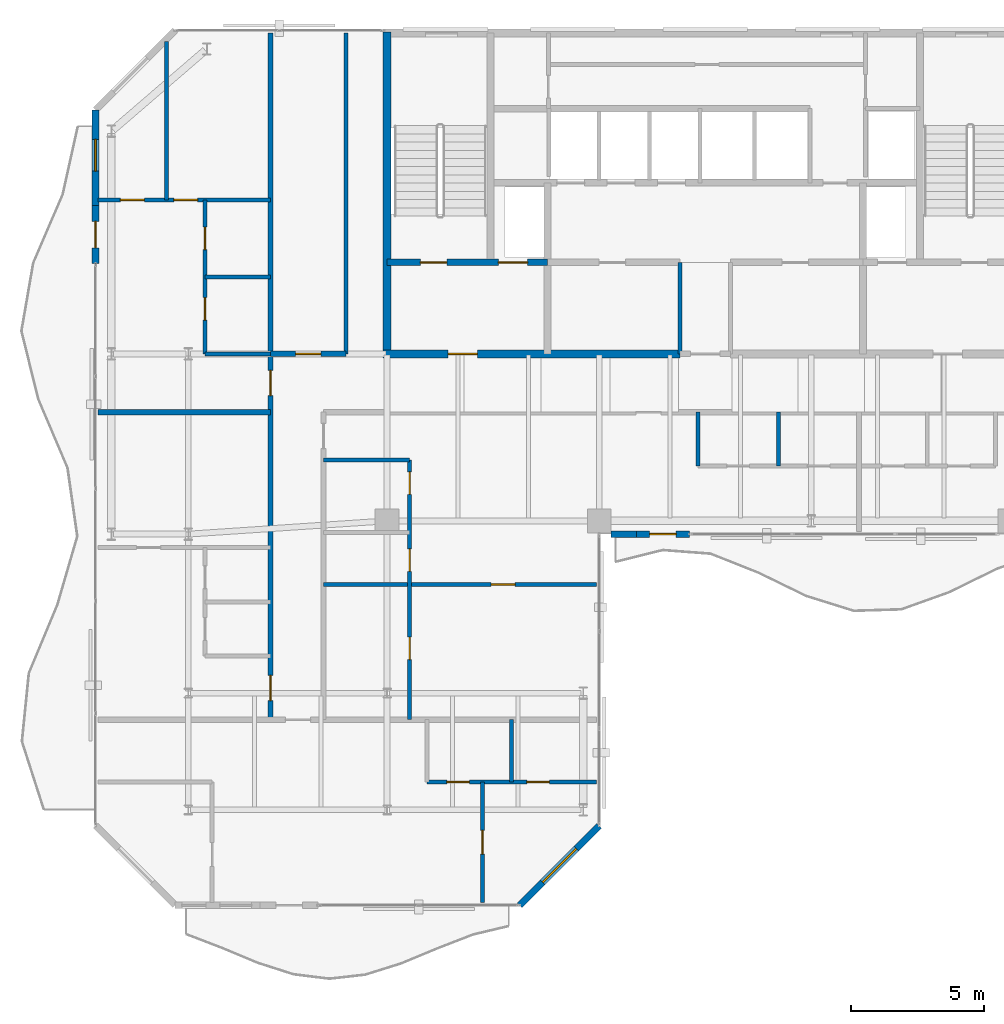
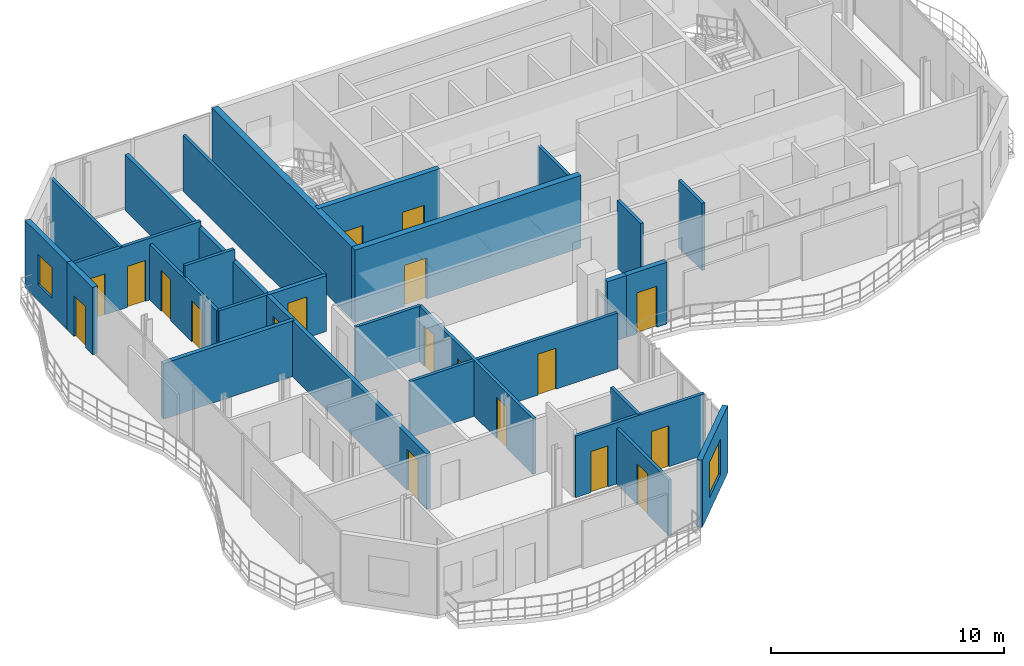
# One storey, part 18 of 22: 26 walls, 19 doors, 2 windows, 21 openings.
"""IFC4 building model written with IfcOpenShell, lengths in metres."""

from ifc_helpers import new_model, si_unit, direction, frame, frame_2d, origin, place, context, subcontext, project, spatial, rectangle, extrude, material, layer, layer_set, type_object, element, fill, save


model = new_model("IFC4")

# Units and contexts
model_context = context("Model", 3, precision=1e-05, world=origin(), true_north=direction((0.0, 1.0)))
body_context = subcontext(model_context, "Body", "Model", "MODEL_VIEW")
ifc_project = project(units=[si_unit("LENGTHUNIT", "METRE"), si_unit("AREAUNIT", "SQUARE_METRE"), si_unit("VOLUMEUNIT", "CUBIC_METRE"), si_unit("PLANEANGLEUNIT", "RADIAN"), si_unit("MASSUNIT", "GRAM", prefix="KILO")], contexts=[model_context])

# Site, building, storey
site_placement = place(None, origin())
site = spatial("IfcSite", under=ifc_project, at=site_placement, CompositionType="ELEMENT")
building_placement = place(site_placement, origin())
building = spatial("IfcBuilding", under=site, at=building_placement, Name="Catumbela Crestline Tower", CompositionType="ELEMENT")
storey_placement = place(building_placement, frame((0.0, 0.0, 222.2)))
storey = spatial("IfcBuildingStorey", under=building, at=storey_placement, Name="L57", CompositionType="ELEMENT", Elevation=222.2)

# Wall, openings, doors
ifc_material_1 = material(Name="Concrete C50/60", Category="concrete")
ifc_layer_1 = layer(ifc_material_1, 0.25, Name="Concrete C50/60")
ifc_layer_set_1 = layer_set([ifc_layer_1], Name="Concrete C50/60")
wall_type_1 = type_object("IfcWallType", Name="CW-250D", PredefinedType="SHEAR", material=ifc_layer_set_1)
wall_1_placement = place(storey_placement, frame((16.0, 34.25, 0.0), z_axis=(0.0, 0.0, 1.0), x_axis=(1.0, 0.0, 0.0)))
wall_1 = element("IfcWall", 1, at=wall_1_placement, inside=storey, type_object=wall_type_1, Name="L57 Structural Core Shear Wall ST1S", PredefinedType="SHEAR", context=body_context, shape_type="SweptSolid", body=[
    extrude(rectangle(XDim=6.05, YDim=0.25, at=frame_2d((3.025, 0.0))), origin(), (0.0, 0.0, 1.0), 3.8),
])
opening_1_placement = place(wall_1_placement, frame((1.25, 0.0, 0.0)))
opening_1 = element("IfcOpeningElement", 2, at=opening_1_placement, cuts=wall_1, Name="Opening DF9-100", PredefinedType="OPENING", context=body_context, shape_type="SweptSolid", body=[
    extrude(rectangle(XDim=1.0, YDim=2.15, at=frame_2d((0.5, 1.075))), frame((0.0, 0.135, 0.0), z_axis=(0.0, -1.0, 0.0), x_axis=(1.0, 0.0, 0.0)), (0.0, 0.0, 1.0), 0.27),
])
opening_2_placement = place(wall_1_placement, frame((4.2, 0.0, 0.0)))
opening_2 = element("IfcOpeningElement", 3, at=opening_2_placement, cuts=wall_1, Name="Opening LD-110", PredefinedType="OPENING", context=body_context, shape_type="SweptSolid", body=[
    extrude(rectangle(XDim=1.1, YDim=2.15, at=frame_2d((0.55, 1.075))), frame((0.0, 0.135, 0.0), z_axis=(0.0, -1.0, 0.0), x_axis=(1.0, 0.0, 0.0)), (0.0, 0.0, 1.0), 0.27),
])
ifc_material_2 = material(Name="Stainless steel EN 1.4401", Category="steel")
door_type_1 = type_object("IfcDoorType", Name="DF9-100", OperationType="NOTDEFINED", PredefinedType="DOOR", material=ifc_material_2)
door_1_placement = place(opening_1_placement, origin())
door_1 = element("IfcDoor", 4, at=door_1_placement, inside=storey, type_object=door_type_1, Name="L57 Interior Door DR-L57-ST01", OperationType="SINGLE_SWING_LEFT", OverallHeight=2.15, OverallWidth=1.0, PredefinedType="DOOR", context=body_context, shape_type="SweptSolid", body=[
    extrude(rectangle(XDim=1.0, YDim=2.15, at=frame_2d((0.5, 1.075))), frame((0.0, 0.025, 0.0), z_axis=(0.0, -1.0, 0.0), x_axis=(1.0, 0.0, 0.0)), (0.0, 0.0, 1.0), 0.05),
])
fill(opening_1, door_1)
door_type_2 = type_object("IfcDoorType", Name="LD-110", OperationType="NOTDEFINED", PredefinedType="DOOR", material=ifc_material_2)
door_2_placement = place(opening_2_placement, origin())
door_2 = element("IfcDoor", 5, at=door_2_placement, inside=storey, type_object=door_type_2, Name="L57 Lift Landing Sliding Door FL-01", OperationType="DOUBLE_DOOR_SLIDING", OverallHeight=2.15, OverallWidth=1.1, PredefinedType="DOOR", context=body_context, shape_type="SweptSolid", body=[
    extrude(rectangle(XDim=1.1, YDim=2.15, at=frame_2d((0.55, 1.075))), frame((0.0, 0.025, 0.0), z_axis=(0.0, -1.0, 0.0), x_axis=(1.0, 0.0, 0.0)), (0.0, 0.0, 1.0), 0.05),
])
fill(opening_2, door_2)

# Wall
ifc_material_3 = material(Name="Concrete C45/55", Category="concrete")
ifc_layer_2 = layer(ifc_material_3, 0.3, Name="Concrete C45/55")
ifc_layer_set_2 = layer_set([ifc_layer_2], Name="Concrete C45/55")
wall_type_2 = type_object("IfcWallType", Name="CW-300C", PredefinedType="SHEAR", material=ifc_layer_set_2)
wall_2_placement = place(storey_placement, frame((16.0, 30.65, 0.0), z_axis=(0.0, 0.0, 1.0), x_axis=(0.0, 1.0, 0.0)))
element("IfcWall", 6, at=wall_2_placement, inside=storey, type_object=wall_type_2, Name="L57 Structural Core Shear Wall W", PredefinedType="SHEAR", context=body_context, shape_type="SweptSolid", body=[
    extrude(rectangle(XDim=12.3, YDim=0.3, at=frame_2d((6.15, 0.0))), origin(), (0.0, 0.0, 1.0), 3.8),
])

# Wall, opening, door
wall_3_placement = place(storey_placement, frame((15.85, 30.8, 0.0), z_axis=(0.0, 0.0, 1.0), x_axis=(1.0, 0.0, 0.0)))
wall_3 = element("IfcWall", 7, at=wall_3_placement, inside=storey, type_object=wall_type_2, Name="L57 Structural Core Shear Wall SW", PredefinedType="SHEAR", context=body_context, shape_type="SweptSolid", body=[
    extrude(rectangle(XDim=11.2, YDim=0.3, at=frame_2d((5.6, 0.0))), origin(), (0.0, 0.0, 1.0), 3.8),
])
opening_3_placement = place(wall_3_placement, frame((2.45, 0.0, 0.0)))
opening_3 = element("IfcOpeningElement", 8, at=opening_3_placement, cuts=wall_3, Name="Opening DF9-110", PredefinedType="OPENING", context=body_context, shape_type="SweptSolid", body=[
    extrude(rectangle(XDim=1.1, YDim=2.15, at=frame_2d((0.55, 1.075))), frame((0.0, 0.16, 0.0), z_axis=(0.0, -1.0, 0.0), x_axis=(1.0, 0.0, 0.0)), (0.0, 0.0, 1.0), 0.32),
])
door_type_3 = type_object("IfcDoorType", Name="DF9-110", OperationType="NOTDEFINED", PredefinedType="DOOR", material=ifc_material_2)
door_3_placement = place(opening_3_placement, origin())
door_3 = element("IfcDoor", 9, at=door_3_placement, inside=storey, type_object=door_type_3, Name="L57 Interior Door DR-L57-FFW-S", OperationType="SINGLE_SWING_LEFT", OverallHeight=2.15, OverallWidth=1.1, PredefinedType="DOOR", context=body_context, shape_type="SweptSolid", body=[
    extrude(rectangle(XDim=1.1, YDim=2.15, at=frame_2d((0.55, 1.075))), frame((0.0, 0.025, 0.0), z_axis=(0.0, -1.0, 0.0), x_axis=(1.0, 0.0, 0.0)), (0.0, 0.0, 1.0), 0.05),
])
fill(opening_3, door_3)

# Wall, openings, doors
ifc_material_4 = material(Name="Acoustic gypsum and mineral-wool partition")
ifc_layer_3 = layer(ifc_material_4, 0.2, Name="Acoustic gypsum and mineral-wool partition")
ifc_layer_set_3 = layer_set([ifc_layer_3], Name="Acoustic gypsum and mineral-wool partition")
wall_type_3 = type_object("IfcWallType", Name="WC-200", PredefinedType="PARTITIONING", material=ifc_layer_set_3)
wall_4_placement = place(storey_placement, frame((11.6, 17.0, 0.0), z_axis=(0.0, 0.0, 1.0), x_axis=(0.0, 1.0, 0.0)))
wall_4 = element("IfcWall", 10, at=wall_4_placement, inside=storey, type_object=wall_type_3, Name="L57 Interior Partition PW-L57-NW1-ENT", PredefinedType="PARTITIONING", context=body_context, shape_type="SweptSolid", body=[
    extrude(rectangle(XDim=25.9, YDim=0.2, at=frame_2d((12.95, 0.0))), origin(), (0.0, 0.0, 1.0), 2.92),
])
opening_4_placement = place(wall_4_placement, frame((12.225, 0.0, 0.0)))
opening_4 = element("IfcOpeningElement", 11, at=opening_4_placement, cuts=wall_4, Name="Opening DF6-095", PredefinedType="OPENING", context=body_context, shape_type="SweptSolid", body=[
    extrude(rectangle(XDim=0.95, YDim=2.15, at=frame_2d((0.475, 1.075))), frame((0.0, 0.11, 0.0), z_axis=(0.0, -1.0, 0.0), x_axis=(1.0, 0.0, 0.0)), (0.0, 0.0, 1.0), 0.22),
])
opening_5_placement = place(wall_4_placement, frame((0.723, 0.0, 0.0)))
opening_5 = element("IfcOpeningElement", 12, at=opening_5_placement, cuts=wall_4, Name="Opening DF6-095", PredefinedType="OPENING", context=body_context, shape_type="SweptSolid", body=[
    extrude(rectangle(XDim=0.95, YDim=2.15, at=frame_2d((0.475, 1.075))), frame((0.0, 0.11, 0.0), z_axis=(0.0, -1.0, 0.0), x_axis=(1.0, 0.0, 0.0)), (0.0, 0.0, 1.0), 0.22),
])
ifc_material_5 = material(Name="Aluminium alloy AW-6060-T66", Category="aluminium")
door_type_4 = type_object("IfcDoorType", Name="DF6-095", OperationType="NOTDEFINED", PredefinedType="DOOR", material=ifc_material_5)
door_4_placement = place(opening_4_placement, origin())
door_4 = element("IfcDoor", 13, at=door_4_placement, inside=storey, type_object=door_type_4, Name="L57 Interior Door DR-L57-NW1-ENT", OperationType="SINGLE_SWING_LEFT", OverallHeight=2.15, OverallWidth=0.95, PredefinedType="DOOR", context=body_context, shape_type="SweptSolid", body=[
    extrude(rectangle(XDim=0.95, YDim=2.15, at=frame_2d((0.475, 1.075))), frame((0.0, 0.025, 0.0), z_axis=(0.0, -1.0, 0.0), x_axis=(1.0, 0.0, 0.0)), (0.0, 0.0, 1.0), 0.05),
])
fill(opening_4, door_4)
door_5_placement = place(opening_5_placement, origin())
door_5 = element("IfcDoor", 14, at=door_5_placement, inside=storey, type_object=door_type_4, Name="L57 Interior Door DR-L57-WL1-ENT", OperationType="SINGLE_SWING_LEFT", OverallHeight=2.15, OverallWidth=0.95, PredefinedType="DOOR", context=body_context, shape_type="SweptSolid", body=[
    extrude(rectangle(XDim=0.95, YDim=2.15, at=frame_2d((0.475, 1.075))), frame((0.0, 0.025, 0.0), z_axis=(0.0, -1.0, 0.0), x_axis=(1.0, 0.0, 0.0)), (0.0, 0.0, 1.0), 0.05),
])
fill(opening_5, door_5)

# Wall, opening, door
wall_5_placement = place(storey_placement, frame((11.6, 30.8, 0.0), z_axis=(0.0, 0.0, 1.0), x_axis=(1.0, 0.0, 0.0)))
wall_5 = element("IfcWall", 15, at=wall_5_placement, inside=storey, type_object=wall_type_3, Name="L57 Interior Partition PW-L57-NWST-ENT", PredefinedType="PARTITIONING", context=body_context, shape_type="SweptSolid", body=[
    extrude(rectangle(XDim=2.85, YDim=0.2, at=frame_2d((1.425, 0.0))), origin(), (0.0, 0.0, 1.0), 2.92),
])
opening_6_placement = place(wall_5_placement, frame((0.95, 0.0, 0.0)))
opening_6 = element("IfcOpeningElement", 16, at=opening_6_placement, cuts=wall_5, Name="Opening DF6-095", PredefinedType="OPENING", context=body_context, shape_type="SweptSolid", body=[
    extrude(rectangle(XDim=0.95, YDim=2.15, at=frame_2d((0.475, 1.075))), frame((0.0, 0.11, 0.0), z_axis=(0.0, -1.0, 0.0), x_axis=(1.0, 0.0, 0.0)), (0.0, 0.0, 1.0), 0.22),
])
door_6_placement = place(opening_6_placement, origin())
door_6 = element("IfcDoor", 17, at=door_6_placement, inside=storey, type_object=door_type_4, Name="L57 Interior Door DR-L57-NWST-ENT", OperationType="SINGLE_SWING_LEFT", OverallHeight=2.15, OverallWidth=0.95, PredefinedType="DOOR", context=body_context, shape_type="SweptSolid", body=[
    extrude(rectangle(XDim=0.95, YDim=2.15, at=frame_2d((0.475, 1.075))), frame((0.0, 0.025, 0.0), z_axis=(0.0, -1.0, 0.0), x_axis=(1.0, 0.0, 0.0)), (0.0, 0.0, 1.0), 0.05),
])
fill(opening_6, door_6)

# Wall, opening, window
ifc_material_6 = material(Name="Angolan grey-ochre granite", Category="masonry")
ifc_layer_4 = layer(ifc_material_6, 0.25, Name="Angolan grey-ochre granite")
ifc_layer_set_4 = layer_set([ifc_layer_4], Name="Angolan grey-ochre granite")
wall_type_4 = type_object("IfcWallType", Name="WE-250", PredefinedType="STANDARD", material=ifc_layer_set_4)
wall_6_placement = place(storey_placement, frame((21.0, 10.0, 0.0), z_axis=(0.0, 0.0, 1.0), x_axis=(0.707106781187, 0.707106781187, 0.0)))
wall_6 = element("IfcWall", 18, at=wall_6_placement, inside=storey, type_object=wall_type_4, Name="L57 Granite Punched Window Wall 1-1", PredefinedType="STANDARD", context=body_context, shape_type="SweptSolid", body=[
    extrude(rectangle(XDim=4.2426, YDim=0.25, at=frame_2d((2.1213, 0.0))), origin(), (0.0, 0.0, 1.0), 3.53),
])
opening_7_placement = place(wall_6_placement, frame((1.2213, 0.0, 0.75)))
opening_7 = element("IfcOpeningElement", 19, at=opening_7_placement, cuts=wall_6, Name="Opening WN-01", PredefinedType="OPENING", context=body_context, shape_type="SweptSolid", body=[
    extrude(rectangle(XDim=1.8, YDim=1.85, at=frame_2d((0.9, 0.925))), frame((0.0, 0.135, 0.0), z_axis=(0.0, -1.0, 0.0), x_axis=(1.0, 0.0, 0.0)), (0.0, 0.0, 1.0), 0.27),
])
ifc_material_7 = material(Name="Low-E laminated solar-control double glazing", Category="glass")
window_type_1 = type_object("IfcWindowType", Name="WF-1800", PartitioningType="SINGLE_PANEL", PredefinedType="WINDOW", material=ifc_material_7)
window_1_placement = place(opening_7_placement, origin())
window_1 = element("IfcWindow", 20, at=window_1_placement, inside=storey, type_object=window_type_1, Name="L57 Facade Vision Window 395", OverallHeight=1.85, OverallWidth=1.8, PartitioningType="SINGLE_PANEL", PredefinedType="WINDOW", context=body_context, shape_type="SweptSolid", body=[
    extrude(rectangle(XDim=1.8, YDim=1.85, at=frame_2d((0.9, 0.925))), frame((0.0, 0.03, 0.0), z_axis=(0.0, -1.0, 0.0), x_axis=(1.0, 0.0, 0.0)), (0.0, 0.0, 1.0), 0.06),
])
fill(opening_7, window_1)

# Wall, opening, door
wall_7_placement = place(storey_placement, frame((25.4, 24.0, 0.0), z_axis=(0.0, 0.0, 1.0), x_axis=(1.0, 0.0, 0.0)))
wall_7 = element("IfcWall", 21, at=wall_7_placement, inside=storey, type_object=wall_type_4, Name="L57 Exterior Threshold Portal Wall DR-L57-WBAL-1", PredefinedType="STANDARD", context=body_context, shape_type="SweptSolid", body=[
    extrude(rectangle(XDim=2.0, YDim=0.25, at=frame_2d((1.0, 0.0))), origin(), (0.0, 0.0, 1.0), 3.24),
])
opening_8_placement = place(wall_7_placement, frame((0.5, 0.0, 0.0)))
opening_8 = element("IfcOpeningElement", 22, at=opening_8_placement, cuts=wall_7, Name="Opening DB-L57-1", PredefinedType="OPENING", context=body_context, shape_type="SweptSolid", body=[
    extrude(rectangle(XDim=1.0, YDim=2.15, at=frame_2d((0.5, 1.075))), frame((0.0, 0.135, 0.0), z_axis=(0.0, -1.0, 0.0), x_axis=(1.0, 0.0, 0.0)), (0.0, 0.0, 1.0), 0.27),
])
door_type_5 = type_object("IfcDoorType", Name="DB-1000", OperationType="NOTDEFINED", PredefinedType="DOOR", material=ifc_material_5)
door_7_placement = place(opening_8_placement, origin())
door_7 = element("IfcDoor", 23, at=door_7_placement, inside=storey, type_object=door_type_5, Name="L57 Wave Balcony Terrace Door 1", OperationType="SINGLE_SWING_LEFT", OverallHeight=2.15, OverallWidth=1.0, PredefinedType="DOOR", context=body_context, shape_type="SweptSolid", body=[
    extrude(rectangle(XDim=1.0, YDim=2.15, at=frame_2d((0.5, 1.075))), frame((0.0, 0.025, 0.0), z_axis=(0.0, -1.0, 0.0), x_axis=(1.0, 0.0, 0.0)), (0.0, 0.0, 1.0), 0.05),
])
fill(opening_8, door_7)

# Wall
wall_8_placement = place(storey_placement, frame((24.45, 24.0, 0.0), z_axis=(0.0, 0.0, 1.0), x_axis=(1.0, 0.0, 0.0)))
element("IfcWall", 24, at=wall_8_placement, inside=storey, type_object=wall_type_4, Name="L57 Granite Punched Window Wall 3-1", PredefinedType="STANDARD", context=body_context, shape_type="SweptSolid", body=[
    extrude(rectangle(XDim=0.95, YDim=0.25, at=frame_2d((0.475, 0.0))), origin(), (0.0, 0.0, 1.0), 3.24),
])

# Wall, opening, door
wall_9_placement = place(storey_placement, frame((5.0, 36.4, 0.0), z_axis=(0.0, 0.0, 1.0), x_axis=(0.0, -1.0, 0.0)))
wall_9 = element("IfcWall", 25, at=wall_9_placement, inside=storey, type_object=wall_type_4, Name="L57 Exterior Threshold Portal Wall DR-L57-WBAL-4", PredefinedType="STANDARD", context=body_context, shape_type="SweptSolid", body=[
    extrude(rectangle(XDim=2.2, YDim=0.25, at=frame_2d((1.1, 0.0))), origin(), (0.0, 0.0, 1.0), 3.53),
])
opening_9_placement = place(wall_9_placement, frame((0.6, 0.0, 0.0)))
opening_9 = element("IfcOpeningElement", 26, at=opening_9_placement, cuts=wall_9, Name="Opening DB-L57-4", PredefinedType="OPENING", context=body_context, shape_type="SweptSolid", body=[
    extrude(rectangle(XDim=1.0, YDim=2.15, at=frame_2d((0.5, 1.075))), frame((0.0, 0.135, 0.0), z_axis=(0.0, -1.0, 0.0), x_axis=(1.0, 0.0, 0.0)), (0.0, 0.0, 1.0), 0.27),
])
door_8_placement = place(opening_9_placement, origin())
door_8 = element("IfcDoor", 27, at=door_8_placement, inside=storey, type_object=door_type_5, Name="L57 Wave Balcony Terrace Door 4", OperationType="SINGLE_SWING_RIGHT", OverallHeight=2.15, OverallWidth=1.0, PredefinedType="DOOR", context=body_context, shape_type="SweptSolid", body=[
    extrude(rectangle(XDim=1.0, YDim=2.15, at=frame_2d((0.5, 1.075))), frame((0.0, 0.025, 0.0), z_axis=(0.0, -1.0, 0.0), x_axis=(1.0, 0.0, 0.0)), (0.0, 0.0, 1.0), 0.05),
])
fill(opening_9, door_8)

# Wall, opening, window
wall_10_placement = place(storey_placement, frame((5.0, 40.0, 0.0), z_axis=(0.0, 0.0, 1.0), x_axis=(0.0, -1.0, 0.0)))
wall_10 = element("IfcWall", 28, at=wall_10_placement, inside=storey, type_object=wall_type_4, Name="L57 Granite Punched Window Wall 9-1", PredefinedType="STANDARD", context=body_context, shape_type="SweptSolid", body=[
    extrude(rectangle(XDim=3.6, YDim=0.25, at=frame_2d((1.8, 0.0))), origin(), (0.0, 0.0, 1.0), 3.53),
])
opening_10_placement = place(wall_10_placement, frame((1.106, 0.0, 0.85)))
opening_10 = element("IfcOpeningElement", 29, at=opening_10_placement, cuts=wall_10, Name="Opening WN-02", PredefinedType="OPENING", context=body_context, shape_type="SweptSolid", body=[
    extrude(rectangle(XDim=1.2, YDim=1.6, at=frame_2d((0.6, 0.8))), frame((0.0, 0.135, 0.0), z_axis=(0.0, -1.0, 0.0), x_axis=(1.0, 0.0, 0.0)), (0.0, 0.0, 1.0), 0.27),
])
window_type_2 = type_object("IfcWindowType", Name="WO-1200", PartitioningType="SINGLE_PANEL", PredefinedType="WINDOW", material=ifc_material_7)
window_2_placement = place(opening_10_placement, origin())
window_2 = element("IfcWindow", 30, at=window_2_placement, inside=storey, type_object=window_type_2, Name="L57 Facade Vision Window 402", OverallHeight=1.6, OverallWidth=1.2, PartitioningType="SINGLE_PANEL", PredefinedType="WINDOW", context=body_context, shape_type="SweptSolid", body=[
    extrude(rectangle(XDim=1.2, YDim=1.6, at=frame_2d((0.6, 0.8))), frame((0.0, 0.03, 0.0), z_axis=(0.0, -1.0, 0.0), x_axis=(1.0, 0.0, 0.0)), (0.0, 0.0, 1.0), 0.06),
])
fill(opening_10, window_2)

# Walls
ifc_layer_5 = layer(ifc_material_4, 0.15, Name="Acoustic gypsum and mineral-wool partition")
ifc_layer_set_5 = layer_set([ifc_layer_5], Name="Acoustic gypsum and mineral-wool partition")
wall_type_5 = type_object("IfcWallType", Name="WP-150", PredefinedType="PARTITIONING", material=ifc_layer_set_5)
wall_11_placement = place(storey_placement, frame((9.13, 30.8, 0.0), z_axis=(0.0, 0.0, 1.0), x_axis=(1.0, 0.0, 0.0)))
element("IfcWall", 31, at=wall_11_placement, inside=storey, type_object=wall_type_5, Name="L57 Interior Partition PW-L57-NW1-KBS", PredefinedType="PARTITIONING", context=body_context, shape_type="SweptSolid", body=[
    extrude(rectangle(XDim=2.47, YDim=0.15, at=frame_2d((1.235, 0.0))), origin(), (0.0, 0.0, 1.0), 2.92),
])
wall_12_placement = place(storey_placement, frame((9.13, 33.704, 0.0), z_axis=(0.0, 0.0, 1.0), x_axis=(1.0, 0.0, 0.0)))
element("IfcWall", 32, at=wall_12_placement, inside=storey, type_object=wall_type_5, Name="L57 Interior Partition PW-L57-NW1-KBM", PredefinedType="PARTITIONING", context=body_context, shape_type="SweptSolid", body=[
    extrude(rectangle(XDim=2.47, YDim=0.15, at=frame_2d((1.235, 0.0))), origin(), (0.0, 0.0, 1.0), 3.53),
])

# Wall, openings, doors
wall_13_placement = place(storey_placement, frame((5.1, 36.608, 0.0), z_axis=(0.0, 0.0, 1.0), x_axis=(1.0, 0.0, 0.0)))
wall_13 = element("IfcWall", 33, at=wall_13_placement, inside=storey, type_object=wall_type_5, Name="L57 Interior Partition PW-L57-NW1-KBN", PredefinedType="PARTITIONING", context=body_context, shape_type="SweptSolid", body=[
    extrude(rectangle(XDim=6.5, YDim=0.15, at=frame_2d((3.25, 0.0))), origin(), (0.0, 0.0, 1.0), 3.24),
])
opening_11_placement = place(wall_13_placement, frame((0.84, 0.0, 0.0)))
opening_11 = element("IfcOpeningElement", 34, at=opening_11_placement, cuts=wall_13, Name="Opening DI-090", PredefinedType="OPENING", context=body_context, shape_type="SweptSolid", body=[
    extrude(rectangle(XDim=0.9, YDim=2.15, at=frame_2d((0.45, 1.075))), frame((0.0, 0.085, 0.0), z_axis=(0.0, -1.0, 0.0), x_axis=(1.0, 0.0, 0.0)), (0.0, 0.0, 1.0), 0.17),
])
opening_12_placement = place(wall_13_placement, frame((2.855, 0.0, 0.0)))
opening_12 = element("IfcOpeningElement", 35, at=opening_12_placement, cuts=wall_13, Name="Opening DI-090", PredefinedType="OPENING", context=body_context, shape_type="SweptSolid", body=[
    extrude(rectangle(XDim=0.9, YDim=2.15, at=frame_2d((0.45, 1.075))), frame((0.0, 0.085, 0.0), z_axis=(0.0, -1.0, 0.0), x_axis=(1.0, 0.0, 0.0)), (0.0, 0.0, 1.0), 0.17),
])
door_type_6 = type_object("IfcDoorType", Name="DI-090", OperationType="NOTDEFINED", PredefinedType="DOOR", material=ifc_material_5)
door_9_placement = place(opening_11_placement, origin())
door_9 = element("IfcDoor", 36, at=door_9_placement, inside=storey, type_object=door_type_6, Name="L57 Interior Door DR-L57-NW1-BD1", OperationType="SINGLE_SWING_LEFT", OverallHeight=2.15, OverallWidth=0.9, PredefinedType="DOOR", context=body_context, shape_type="SweptSolid", body=[
    extrude(rectangle(XDim=0.9, YDim=2.15, at=frame_2d((0.45, 1.075))), frame((0.0, 0.025, 0.0), z_axis=(0.0, -1.0, 0.0), x_axis=(1.0, 0.0, 0.0)), (0.0, 0.0, 1.0), 0.05),
])
fill(opening_11, door_9)
door_10_placement = place(opening_12_placement, origin())
door_10 = element("IfcDoor", 37, at=door_10_placement, inside=storey, type_object=door_type_6, Name="L57 Interior Door DR-L57-NW1-BD2", OperationType="SINGLE_SWING_RIGHT", OverallHeight=2.15, OverallWidth=0.9, PredefinedType="DOOR", context=body_context, shape_type="SweptSolid", body=[
    extrude(rectangle(XDim=0.9, YDim=2.15, at=frame_2d((0.45, 1.075))), frame((0.0, 0.025, 0.0), z_axis=(0.0, -1.0, 0.0), x_axis=(1.0, 0.0, 0.0)), (0.0, 0.0, 1.0), 0.05),
])
fill(opening_12, door_10)

wall_14_placement = place(storey_placement, frame((9.13, 30.8, 0.0), z_axis=(0.0, 0.0, 1.0), x_axis=(0.0, 1.0, 0.0)))
wall_14 = element("IfcWall", 38, at=wall_14_placement, inside=storey, type_object=wall_type_5, Name="L57 Interior Partition PW-L57-NW1-LK", PredefinedType="PARTITIONING", context=body_context, shape_type="SweptSolid", body=[
    extrude(rectangle(XDim=5.808, YDim=0.15, at=frame_2d((2.904, 0.0))), origin(), (0.0, 0.0, 1.0), 2.92),
])
opening_13_placement = place(wall_14_placement, frame((1.2737, 0.0, 0.0)))
opening_13 = element("IfcOpeningElement", 39, at=opening_13_placement, cuts=wall_14, Name="Opening DI-085", PredefinedType="OPENING", context=body_context, shape_type="SweptSolid", body=[
    extrude(rectangle(XDim=0.85, YDim=2.15, at=frame_2d((0.425, 1.075))), frame((0.0, 0.085, 0.0), z_axis=(0.0, -1.0, 0.0), x_axis=(1.0, 0.0, 0.0)), (0.0, 0.0, 1.0), 0.17),
])
opening_14_placement = place(wall_14_placement, frame((3.931, 0.0, 0.0)))
opening_14 = element("IfcOpeningElement", 40, at=opening_14_placement, cuts=wall_14, Name="Opening DI-085", PredefinedType="OPENING", context=body_context, shape_type="SweptSolid", body=[
    extrude(rectangle(XDim=0.85, YDim=2.15, at=frame_2d((0.425, 1.075))), frame((0.0, 0.085, 0.0), z_axis=(0.0, -1.0, 0.0), x_axis=(1.0, 0.0, 0.0)), (0.0, 0.0, 1.0), 0.17),
])
door_type_7 = type_object("IfcDoorType", Name="DI-085", OperationType="NOTDEFINED", PredefinedType="DOOR", material=ifc_material_5)
door_11_placement = place(opening_13_placement, origin())
door_11 = element("IfcDoor", 41, at=door_11_placement, inside=storey, type_object=door_type_7, Name="L57 Interior Door DR-L57-NW1-KIT", OperationType="SINGLE_SWING_RIGHT", OverallHeight=2.15, OverallWidth=0.85, PredefinedType="DOOR", context=body_context, shape_type="SweptSolid", body=[
    extrude(rectangle(XDim=0.85, YDim=2.15, at=frame_2d((0.425, 1.075))), frame((0.0, 0.025, 0.0), z_axis=(0.0, -1.0, 0.0), x_axis=(1.0, 0.0, 0.0)), (0.0, 0.0, 1.0), 0.05),
])
fill(opening_13, door_11)
door_12_placement = place(opening_14_placement, origin())
door_12 = element("IfcDoor", 42, at=door_12_placement, inside=storey, type_object=door_type_7, Name="L57 Interior Door DR-L57-NW1-BTH", OperationType="SINGLE_SWING_RIGHT", OverallHeight=2.15, OverallWidth=0.85, PredefinedType="DOOR", context=body_context, shape_type="SweptSolid", body=[
    extrude(rectangle(XDim=0.85, YDim=2.15, at=frame_2d((0.425, 1.075))), frame((0.0, 0.025, 0.0), z_axis=(0.0, -1.0, 0.0), x_axis=(1.0, 0.0, 0.0)), (0.0, 0.0, 1.0), 0.05),
])
fill(opening_14, door_12)

# Walls
wall_15_placement = place(storey_placement, frame((7.68, 36.608, 0.0), z_axis=(0.0, 0.0, 1.0), x_axis=(0.0, 1.0, 0.0)))
element("IfcWall", 43, at=wall_15_placement, inside=storey, type_object=wall_type_5, Name="L57 Interior Partition PW-L57-NW1-BDP", PredefinedType="PARTITIONING", context=body_context, shape_type="SweptSolid", body=[
    extrude(rectangle(XDim=5.972, YDim=0.15, at=frame_2d((2.986, 0.0))), origin(), (0.0, 0.0, 1.0), 3.24),
])
wall_16_placement = place(storey_placement, frame((14.45, 30.8, 0.0), z_axis=(0.0, 0.0, 1.0), x_axis=(0.0, 1.0, 0.0)))
element("IfcWall", 44, at=wall_16_placement, inside=storey, type_object=wall_type_5, Name="L57 Interior Partition PW-L57-NWSTM", PredefinedType="PARTITIONING", context=body_context, shape_type="SweptSolid", body=[
    extrude(rectangle(XDim=12.1, YDim=0.15, at=frame_2d((6.05, 0.0))), origin(), (0.0, 0.0, 1.0), 2.92),
])
for number, where, z_axis, x_axis, name in (
    (45, (27.724, 26.576, 0.0), (0.0, 0.0, 1.0), (0.0, 1.0, 0.0), "L57 Interior Partition PW-L57-S1-KBW"),
    (46, (30.762, 26.576, 0.0), (0.0, 0.0, 1.0), (0.0, 1.0, 0.0), "L57 Interior Partition PW-L57-S1-KBM"),
):
    element("IfcWall", number, at=place(storey_placement, frame(where, z_axis=z_axis, x_axis=x_axis)), inside=storey, type_object=wall_type_5, Name=name, PredefinedType="PARTITIONING", context=body_context, shape_type="SweptSolid", body=[
        extrude(rectangle(XDim=2.024, YDim=0.15, at=frame_2d((1.012, 0.0))), origin(), (0.0, 0.0, 1.0), 3.53),
    ])

# Wall, opening, door
wall_17_placement = place(storey_placement, frame((13.6, 22.104, 0.0), z_axis=(0.0, 0.0, 1.0), x_axis=(1.0, 0.0, 0.0)))
wall_17 = element("IfcWall", 47, at=wall_17_placement, inside=storey, type_object=wall_type_5, Name="L57 Interior Partition PW-L57-WR1-KBS", PredefinedType="PARTITIONING", context=body_context, shape_type="SweptSolid", body=[
    extrude(rectangle(XDim=10.3, YDim=0.15, at=frame_2d((5.15, 0.0))), origin(), (0.0, 0.0, 1.0), 2.92),
])
opening_15_placement = place(wall_17_placement, frame((6.325, 0.0, 0.0)))
opening_15 = element("IfcOpeningElement", 48, at=opening_15_placement, cuts=wall_17, Name="Opening DI-090", PredefinedType="OPENING", context=body_context, shape_type="SweptSolid", body=[
    extrude(rectangle(XDim=0.9, YDim=2.15, at=frame_2d((0.45, 1.075))), frame((0.0, 0.085, 0.0), z_axis=(0.0, -1.0, 0.0), x_axis=(1.0, 0.0, 0.0)), (0.0, 0.0, 1.0), 0.17),
])
door_13_placement = place(opening_15_placement, origin())
door_13 = element("IfcDoor", 49, at=door_13_placement, inside=storey, type_object=door_type_6, Name="L57 Interior Door DR-L57-WR1-BD1", OperationType="SINGLE_SWING_LEFT", OverallHeight=2.15, OverallWidth=0.9, PredefinedType="DOOR", context=body_context, shape_type="SweptSolid", body=[
    extrude(rectangle(XDim=0.9, YDim=2.15, at=frame_2d((0.45, 1.075))), frame((0.0, 0.025, 0.0), z_axis=(0.0, -1.0, 0.0), x_axis=(1.0, 0.0, 0.0)), (0.0, 0.0, 1.0), 0.05),
])
fill(opening_15, door_13)

# Wall
wall_18_placement = place(storey_placement, frame((13.6, 26.8, 0.0), z_axis=(0.0, 0.0, 1.0), x_axis=(1.0, 0.0, 0.0)))
element("IfcWall", 50, at=wall_18_placement, inside=storey, type_object=wall_type_5, Name="L57 Interior Partition PW-L57-WR1-KBN", PredefinedType="PARTITIONING", context=body_context, shape_type="SweptSolid", body=[
    extrude(rectangle(XDim=3.25, YDim=0.15, at=frame_2d((1.625, 0.0))), origin(), (0.0, 0.0, 1.0), 2.92),
])

# Wall, openings, doors
wall_19_placement = place(storey_placement, frame((16.85, 17.0, 0.0), z_axis=(0.0, 0.0, 1.0), x_axis=(0.0, 1.0, 0.0)))
wall_19 = element("IfcWall", 51, at=wall_19_placement, inside=storey, type_object=wall_type_5, Name="L57 Interior Partition PW-L57-WR1-LB", PredefinedType="PARTITIONING", context=body_context, shape_type="SweptSolid", body=[
    extrude(rectangle(XDim=9.8, YDim=0.15, at=frame_2d((4.9, 0.0))), origin(), (0.0, 0.0, 1.0), 2.92),
])
opening_16_placement = place(wall_19_placement, frame((5.5983, 0.0, 0.0)))
opening_16 = element("IfcOpeningElement", 52, at=opening_16_placement, cuts=wall_19, Name="Opening DI-085", PredefinedType="OPENING", context=body_context, shape_type="SweptSolid", body=[
    extrude(rectangle(XDim=0.85, YDim=2.15, at=frame_2d((0.425, 1.075))), frame((0.0, 0.085, 0.0), z_axis=(0.0, -1.0, 0.0), x_axis=(1.0, 0.0, 0.0)), (0.0, 0.0, 1.0), 0.17),
])
opening_17_placement = place(wall_19_placement, frame((8.4963, 0.0, 0.0)))
opening_17 = element("IfcOpeningElement", 53, at=opening_17_placement, cuts=wall_19, Name="Opening DI-085", PredefinedType="OPENING", context=body_context, shape_type="SweptSolid", body=[
    extrude(rectangle(XDim=0.85, YDim=2.15, at=frame_2d((0.425, 1.075))), frame((0.0, 0.085, 0.0), z_axis=(0.0, -1.0, 0.0), x_axis=(1.0, 0.0, 0.0)), (0.0, 0.0, 1.0), 0.17),
])
opening_18_placement = place(wall_19_placement, frame((2.2684, 0.0, 0.0)))
opening_18 = element("IfcOpeningElement", 54, at=opening_18_placement, cuts=wall_19, Name="Opening DI-085", PredefinedType="OPENING", context=body_context, shape_type="SweptSolid", body=[
    extrude(rectangle(XDim=0.85, YDim=2.15, at=frame_2d((0.425, 1.075))), frame((0.0, 0.085, 0.0), z_axis=(0.0, -1.0, 0.0), x_axis=(1.0, 0.0, 0.0)), (0.0, 0.0, 1.0), 0.17),
])
door_14_placement = place(opening_16_placement, origin())
door_14 = element("IfcDoor", 55, at=door_14_placement, inside=storey, type_object=door_type_7, Name="L57 Interior Door DR-L57-WR1-BTH", OperationType="SINGLE_SWING_LEFT", OverallHeight=2.15, OverallWidth=0.85, PredefinedType="DOOR", context=body_context, shape_type="SweptSolid", body=[
    extrude(rectangle(XDim=0.85, YDim=2.15, at=frame_2d((0.425, 1.075))), frame((0.0, 0.025, 0.0), z_axis=(0.0, -1.0, 0.0), x_axis=(1.0, 0.0, 0.0)), (0.0, 0.0, 1.0), 0.05),
])
fill(opening_16, door_14)
door_15_placement = place(opening_17_placement, origin())
door_15 = element("IfcDoor", 56, at=door_15_placement, inside=storey, type_object=door_type_7, Name="L57 Interior Door DR-L57-WR1-KIT", OperationType="SINGLE_SWING_RIGHT", OverallHeight=2.15, OverallWidth=0.85, PredefinedType="DOOR", context=body_context, shape_type="SweptSolid", body=[
    extrude(rectangle(XDim=0.85, YDim=2.15, at=frame_2d((0.425, 1.075))), frame((0.0, 0.025, 0.0), z_axis=(0.0, -1.0, 0.0), x_axis=(1.0, 0.0, 0.0)), (0.0, 0.0, 1.0), 0.05),
])
fill(opening_17, door_15)
door_16_placement = place(opening_18_placement, origin())
door_16 = element("IfcDoor", 57, at=door_16_placement, inside=storey, type_object=door_type_7, Name="L57 Interior Door DR-L57-WR1-WIR", OperationType="SINGLE_SWING_LEFT", OverallHeight=2.15, OverallWidth=0.85, PredefinedType="DOOR", context=body_context, shape_type="SweptSolid", body=[
    extrude(rectangle(XDim=0.85, YDim=2.15, at=frame_2d((0.425, 1.075))), frame((0.0, 0.025, 0.0), z_axis=(0.0, -1.0, 0.0), x_axis=(1.0, 0.0, 0.0)), (0.0, 0.0, 1.0), 0.05),
])
fill(opening_18, door_16)

# Wall
wall_20_placement = place(storey_placement, frame((20.7, 14.65, 0.0), z_axis=(0.0, 0.0, 1.0), x_axis=(0.0, 1.0, 0.0)))
element("IfcWall", 58, at=wall_20_placement, inside=storey, type_object=wall_type_5, Name="L57 Interior Partition PW-L57-SH1-KBM", PredefinedType="PARTITIONING", context=body_context, shape_type="SweptSolid", body=[
    extrude(rectangle(XDim=2.35, YDim=0.15, at=frame_2d((1.175, 0.0))), origin(), (0.0, 0.0, 1.0), 3.22),
])

# Wall, openings, doors
wall_21_placement = place(storey_placement, frame((17.5, 14.65, 0.0), z_axis=(0.0, 0.0, 1.0), x_axis=(1.0, 0.0, 0.0)))
wall_21 = element("IfcWall", 59, at=wall_21_placement, inside=storey, type_object=wall_type_5, Name="L57 Interior Partition PW-L57-SH1-KBD1", PredefinedType="PARTITIONING", context=body_context, shape_type="SweptSolid", body=[
    extrude(rectangle(XDim=6.4, YDim=0.15, at=frame_2d((3.2, 0.0))), origin(), (0.0, 0.0, 1.0), 3.22),
])
opening_19_placement = place(wall_21_placement, frame((0.7532, 0.0, 0.0)))
opening_19 = element("IfcOpeningElement", 60, at=opening_19_placement, cuts=wall_21, Name="Opening DI-085", PredefinedType="OPENING", context=body_context, shape_type="SweptSolid", body=[
    extrude(rectangle(XDim=0.85, YDim=2.15, at=frame_2d((0.425, 1.075))), frame((0.0, 0.085, 0.0), z_axis=(0.0, -1.0, 0.0), x_axis=(1.0, 0.0, 0.0)), (0.0, 0.0, 1.0), 0.17),
])
opening_20_placement = place(wall_21_placement, frame((3.7705, 0.0, 0.0)))
opening_20 = element("IfcOpeningElement", 61, at=opening_20_placement, cuts=wall_21, Name="Opening DI-085", PredefinedType="OPENING", context=body_context, shape_type="SweptSolid", body=[
    extrude(rectangle(XDim=0.85, YDim=2.15, at=frame_2d((0.425, 1.075))), frame((0.0, 0.085, 0.0), z_axis=(0.0, -1.0, 0.0), x_axis=(1.0, 0.0, 0.0)), (0.0, 0.0, 1.0), 0.17),
])
door_17_placement = place(opening_19_placement, origin())
door_17 = element("IfcDoor", 62, at=door_17_placement, inside=storey, type_object=door_type_7, Name="L57 Interior Door DR-L57-SH1-BTH", OperationType="SINGLE_SWING_LEFT", OverallHeight=2.15, OverallWidth=0.85, PredefinedType="DOOR", context=body_context, shape_type="SweptSolid", body=[
    extrude(rectangle(XDim=0.85, YDim=2.15, at=frame_2d((0.425, 1.075))), frame((0.0, 0.025, 0.0), z_axis=(0.0, -1.0, 0.0), x_axis=(1.0, 0.0, 0.0)), (0.0, 0.0, 1.0), 0.05),
])
fill(opening_19, door_17)
door_18_placement = place(opening_20_placement, origin())
door_18 = element("IfcDoor", 63, at=door_18_placement, inside=storey, type_object=door_type_7, Name="L57 Interior Door DR-L57-SH1-KIT", OperationType="SINGLE_SWING_RIGHT", OverallHeight=2.15, OverallWidth=0.85, PredefinedType="DOOR", context=body_context, shape_type="SweptSolid", body=[
    extrude(rectangle(XDim=0.85, YDim=2.15, at=frame_2d((0.425, 1.075))), frame((0.0, 0.025, 0.0), z_axis=(0.0, -1.0, 0.0), x_axis=(1.0, 0.0, 0.0)), (0.0, 0.0, 1.0), 0.05),
])
fill(opening_20, door_18)

# Wall, opening, door
wall_22_placement = place(storey_placement, frame((19.6, 10.1, 0.0), z_axis=(0.0, 0.0, 1.0), x_axis=(0.0, 1.0, 0.0)))
wall_22 = element("IfcWall", 64, at=wall_22_placement, inside=storey, type_object=wall_type_5, Name="L57 Interior Partition PW-L57-SH1-BDR", PredefinedType="PARTITIONING", context=body_context, shape_type="SweptSolid", body=[
    extrude(rectangle(XDim=4.55, YDim=0.15, at=frame_2d((2.275, 0.0))), origin(), (0.0, 0.0, 1.0), 2.92),
])
opening_21_placement = place(wall_22_placement, frame((1.825, 0.0, 0.0)))
opening_21 = element("IfcOpeningElement", 65, at=opening_21_placement, cuts=wall_22, Name="Opening DI-090", PredefinedType="OPENING", context=body_context, shape_type="SweptSolid", body=[
    extrude(rectangle(XDim=0.9, YDim=2.15, at=frame_2d((0.45, 1.075))), frame((0.0, 0.085, 0.0), z_axis=(0.0, -1.0, 0.0), x_axis=(1.0, 0.0, 0.0)), (0.0, 0.0, 1.0), 0.17),
])
door_19_placement = place(opening_21_placement, origin())
door_19 = element("IfcDoor", 66, at=door_19_placement, inside=storey, type_object=door_type_6, Name="L57 Interior Door DR-L57-SH1-BD2", OperationType="SINGLE_SWING_RIGHT", OverallHeight=2.15, OverallWidth=0.9, PredefinedType="DOOR", context=body_context, shape_type="SweptSolid", body=[
    extrude(rectangle(XDim=0.9, YDim=2.15, at=frame_2d((0.45, 1.075))), frame((0.0, 0.025, 0.0), z_axis=(0.0, -1.0, 0.0), x_axis=(1.0, 0.0, 0.0)), (0.0, 0.0, 1.0), 0.05),
])
fill(opening_21, door_19)

# Walls
ifc_layer_6 = layer(ifc_material_4, 0.2, Name="Acoustic gypsum and mineral-wool partition")
ifc_layer_set_6 = layer_set([ifc_layer_6], Name="Acoustic gypsum and mineral-wool partition")
wall_type_6 = type_object("IfcWallType", Name="WY-200", PredefinedType="PARTITIONING", material=ifc_layer_set_6)
wall_23_placement = place(storey_placement, frame((5.1, 28.6, 0.0), z_axis=(0.0, 0.0, 1.0), x_axis=(1.0, 0.0, 0.0)))
element("IfcWall", 67, at=wall_23_placement, inside=storey, type_object=wall_type_6, Name="L57 Interior Partition PW-L57-RCWNW", PredefinedType="PARTITIONING", context=body_context, shape_type="SweptSolid", body=[
    extrude(rectangle(XDim=6.5, YDim=0.2, at=frame_2d((3.25, 0.0))), origin(), (0.0, 0.0, 1.0), 2.92),
])
ifc_layer_7 = layer(ifc_material_4, 0.15, Name="Acoustic gypsum and mineral-wool partition")
ifc_layer_set_7 = layer_set([ifc_layer_7], Name="Acoustic gypsum and mineral-wool partition")
wall_type_7 = type_object("IfcWallType", Name="WS-150", PredefinedType="PLUMBINGWALL", material=ifc_layer_set_7)
wall_24_placement = place(storey_placement, frame((27.05, 30.8, 0.0), z_axis=(0.0, 0.0, 1.0), x_axis=(0.0, 1.0, 0.0)))
element("IfcWall", 68, at=wall_24_placement, inside=storey, type_object=wall_type_7, Name="L57 Interior Partition PW-L57-THRW", PredefinedType="PLUMBINGWALL", context=body_context, shape_type="SweptSolid", body=[
    extrude(rectangle(XDim=3.45, YDim=0.15, at=frame_2d((1.725, 0.0))), origin(), (0.0, 0.0, 1.0), 3.22),
])

save(model, "model.ifc")
